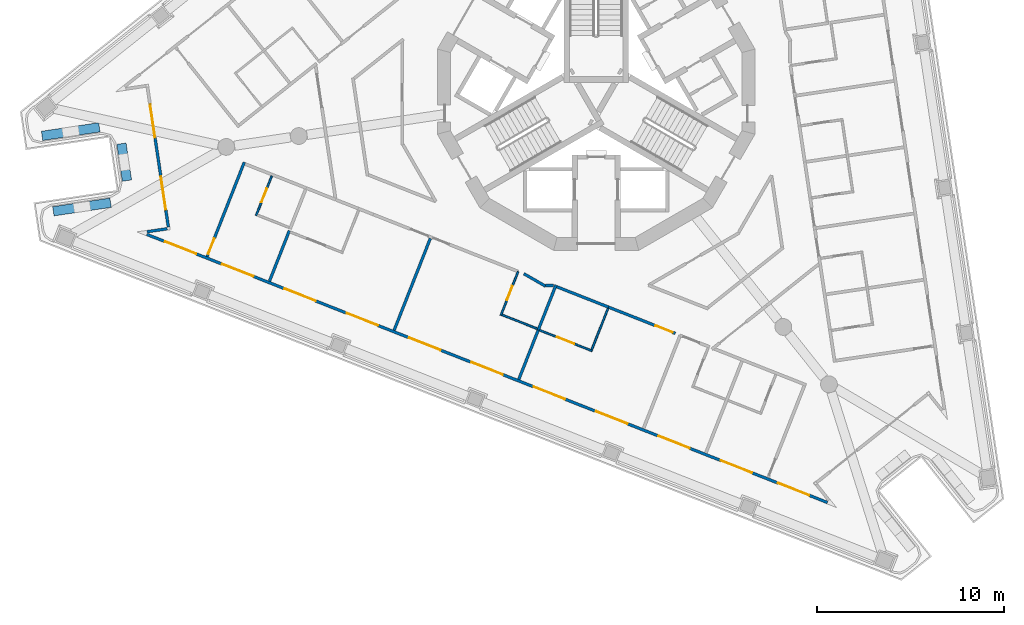
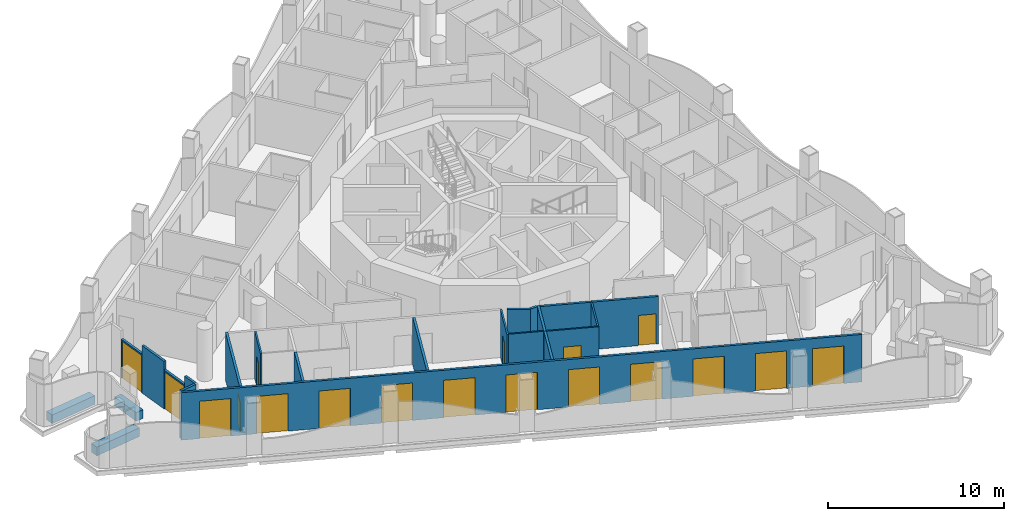
# One storey, part 2 of 16: 23 walls, 18 doors, 18 openings.
"""IFC4 building model written with IfcOpenShell, lengths in metres."""

from ifc_helpers import new_model, si_unit, direction, frame, frame_2d, origin, place, context, subcontext, project, spatial, polyline, rectangle, outline, extrude, material, layer, layer_set, type_object, element, fill, save


model = new_model("IFC4")

# Units and contexts
model_context = context("Model", 3, precision=1e-05, world=origin(), true_north=direction((0.0, 1.0)))
body_context = subcontext(model_context, "Body", "Model", "MODEL_VIEW")
ifc_project = project(units=[si_unit("LENGTHUNIT", "METRE"), si_unit("AREAUNIT", "SQUARE_METRE"), si_unit("VOLUMEUNIT", "CUBIC_METRE"), si_unit("PLANEANGLEUNIT", "RADIAN"), si_unit("MASSUNIT", "GRAM", prefix="KILO")], contexts=[model_context])

# Site, building, storey
site_placement = place(None, origin())
site = spatial("IfcSite", under=ifc_project, at=site_placement, CompositionType="ELEMENT")
building_placement = place(site_placement, origin())
building = spatial("IfcBuilding", under=site, at=building_placement, Name="Trine Commons Tower", CompositionType="ELEMENT")
storey_placement = place(building_placement, frame((0.0, 0.0, 219.60009765625)))
storey = spatial("IfcBuildingStorey", under=building, at=storey_placement, Name="L57", CompositionType="ELEMENT", Elevation=219.60009765625)

# Wall, openings, doors
ifc_material_1 = material(Name="Aluminium-framed insulated wall panel", Category="aluminium")
ifc_layer_1 = layer(ifc_material_1, 0.14990234375)
ifc_layer_set_1 = layer_set([ifc_layer_1], Name="Aluminium-framed insulated wall panel")
wall_type_1 = type_object("IfcWallType", Name="Glazed frame wall 150, EI 60", PredefinedType="SOLIDWALL", material=ifc_layer_set_1)
wall_1_placement = place(storey_placement, frame((92.513916015625, 40.4541015625, 0.0), z_axis=(0.0, 0.0, 1.0), x_axis=(-0.930417922313, 0.3665003272, 0.0)))
wall_1 = element("IfcWall", 1, at=wall_1_placement, inside=storey, type_object=wall_type_1, Name="Glazed frame wall F3", PredefinedType="SOLIDWALL", context=body_context, shape_type="SweptSolid", body=[
    extrude(outline(polyline([(0.1494140625, 0.074951171875), (0.1494140625, -0.074951171875), (39.296875, -0.074951171875), (39.296875, 0.074951171875), (0.1494140625, 0.074951171875)])), origin(), (0.0, 0.0, 1.0), 3.2998046875),
])
opening_1_placement = place(wall_1_placement, frame((1.193115234375, 0.0, 0.0)))
opening_1 = element("IfcOpeningElement", 2, at=opening_1_placement, cuts=wall_1, Name="Opening BD-6F3-01", PredefinedType="OPENING", context=body_context, shape_type="SweptSolid", body=[
    extrude(rectangle(XDim=1.800048828125, YDim=2.60009765625, at=frame_2d((0.89990234375, 1.300048828125))), frame((0.0, 0.0849609375, 0.0), z_axis=(0.0, -1.0, 0.0), x_axis=(1.0, 0.0, 0.0)), (0.0, 0.0, 1.0), 0.169921875),
])
opening_2_placement = place(wall_1_placement, frame((4.47900390625, 0.0, 0.0)))
opening_2 = element("IfcOpeningElement", 3, at=opening_2_placement, cuts=wall_1, Name="Opening BD-6F3-02", PredefinedType="OPENING", context=body_context, shape_type="SweptSolid", body=[
    extrude(rectangle(XDim=1.800048828125, YDim=2.60009765625, at=frame_2d((0.89990234375, 1.300048828125))), frame((0.0, 0.0849609375, 0.0), z_axis=(0.0, -1.0, 0.0), x_axis=(1.0, 0.0, 0.0)), (0.0, 0.0, 1.0), 0.169921875),
])
opening_3_placement = place(wall_1_placement, frame((8.06494140625, 0.0, 0.0)))
opening_3 = element("IfcOpeningElement", 4, at=opening_3_placement, cuts=wall_1, Name="Opening BD-6F3-03", PredefinedType="OPENING", context=body_context, shape_type="SweptSolid", body=[
    extrude(rectangle(XDim=1.800048828125, YDim=2.60009765625, at=frame_2d((0.89990234375, 1.300048828125))), frame((0.0, 0.0849609375, 0.0), z_axis=(0.0, -1.0, 0.0), x_axis=(1.0, 0.0, 0.0)), (0.0, 0.0, 1.0), 0.169921875),
])
opening_4_placement = place(wall_1_placement, frame((11.65087890625, 0.0, 0.0)))
opening_4 = element("IfcOpeningElement", 5, at=opening_4_placement, cuts=wall_1, Name="Opening BD-6F3-04", PredefinedType="OPENING", context=body_context, shape_type="SweptSolid", body=[
    extrude(rectangle(XDim=1.800048828125, YDim=2.60009765625, at=frame_2d((0.89990234375, 1.300048828125))), frame((0.0, 0.0849609375, 0.0), z_axis=(0.0, -1.0, 0.0), x_axis=(1.0, 0.0, 0.0)), (0.0, 0.0, 1.0), 0.169921875),
])
opening_5_placement = place(wall_1_placement, frame((15.237060546875, 0.0, 0.0)))
opening_5 = element("IfcOpeningElement", 6, at=opening_5_placement, cuts=wall_1, Name="Opening BD-6F3-05", PredefinedType="OPENING", context=body_context, shape_type="SweptSolid", body=[
    extrude(rectangle(XDim=1.800048828125, YDim=2.60009765625, at=frame_2d((0.89990234375, 1.300048828125))), frame((0.0, 0.0849609375, 0.0), z_axis=(0.0, -1.0, 0.0), x_axis=(1.0, 0.0, 0.0)), (0.0, 0.0, 1.0), 0.169921875),
])
opening_6_placement = place(wall_1_placement, frame((18.822998046875, 0.0, 0.0)))
opening_6 = element("IfcOpeningElement", 7, at=opening_6_placement, cuts=wall_1, Name="Opening BD-6F3-06", PredefinedType="OPENING", context=body_context, shape_type="SweptSolid", body=[
    extrude(rectangle(XDim=1.800048828125, YDim=2.60009765625, at=frame_2d((0.89990234375, 1.300048828125))), frame((0.0, 0.0849609375, 0.0), z_axis=(0.0, -1.0, 0.0), x_axis=(1.0, 0.0, 0.0)), (0.0, 0.0, 1.0), 0.169921875),
])
opening_7_placement = place(wall_1_placement, frame((22.408935546875, 0.0, 0.0)))
opening_7 = element("IfcOpeningElement", 8, at=opening_7_placement, cuts=wall_1, Name="Opening BD-6F3-07", PredefinedType="OPENING", context=body_context, shape_type="SweptSolid", body=[
    extrude(rectangle(XDim=1.800048828125, YDim=2.60009765625, at=frame_2d((0.89990234375, 1.300048828125))), frame((0.0, 0.0849609375, 0.0), z_axis=(0.0, -1.0, 0.0), x_axis=(1.0, 0.0, 0.0)), (0.0, 0.0, 1.0), 0.169921875),
])
opening_8_placement = place(wall_1_placement, frame((25.9951171875, 0.0, 0.0)))
opening_8 = element("IfcOpeningElement", 9, at=opening_8_placement, cuts=wall_1, Name="Opening BD-6F3-08", PredefinedType="OPENING", context=body_context, shape_type="SweptSolid", body=[
    extrude(rectangle(XDim=1.800048828125, YDim=2.60009765625, at=frame_2d((0.89990234375, 1.300048828125))), frame((0.0, 0.0849609375, 0.0), z_axis=(0.0, -1.0, 0.0), x_axis=(1.0, 0.0, 0.0)), (0.0, 0.0, 1.0), 0.169921875),
])
opening_9_placement = place(wall_1_placement, frame((29.5810546875, 0.0, 0.0)))
opening_9 = element("IfcOpeningElement", 10, at=opening_9_placement, cuts=wall_1, Name="Opening BD-6F3-09", PredefinedType="OPENING", context=body_context, shape_type="SweptSolid", body=[
    extrude(rectangle(XDim=1.800048828125, YDim=2.60009765625, at=frame_2d((0.89990234375, 1.300048828125))), frame((0.0, 0.0849609375, 0.0), z_axis=(0.0, -1.0, 0.0), x_axis=(1.0, 0.0, 0.0)), (0.0, 0.0, 1.0), 0.169921875),
])
opening_10_placement = place(wall_1_placement, frame((33.1669921875, 0.0, 0.0)))
opening_10 = element("IfcOpeningElement", 11, at=opening_10_placement, cuts=wall_1, Name="Opening BD-6F3-10", PredefinedType="OPENING", context=body_context, shape_type="SweptSolid", body=[
    extrude(rectangle(XDim=1.800048828125, YDim=2.60009765625, at=frame_2d((0.89990234375, 1.300048828125))), frame((0.0, 0.0849609375, 0.0), z_axis=(0.0, -1.0, 0.0), x_axis=(1.0, 0.0, 0.0)), (0.0, 0.0, 1.0), 0.169921875),
])
opening_11_placement = place(wall_1_placement, frame((36.452880859375, 0.0, 0.0)))
opening_11 = element("IfcOpeningElement", 12, at=opening_11_placement, cuts=wall_1, Name="Opening BD-6F3-11", PredefinedType="OPENING", context=body_context, shape_type="SweptSolid", body=[
    extrude(rectangle(XDim=1.800048828125, YDim=2.60009765625, at=frame_2d((0.89990234375, 1.300048828125))), frame((0.0, 0.0849609375, 0.0), z_axis=(0.0, -1.0, 0.0), x_axis=(1.0, 0.0, 0.0)), (0.0, 0.0, 1.0), 0.169921875),
])
ifc_material_2 = material(Name="Anodised aluminium frame with double glazing", Category="aluminium")
door_type_1 = type_object("IfcDoorType", Name="Sliding loggia door 1800x2600", OperationType="SLIDING_TO_LEFT", PredefinedType="DOOR", material=ifc_material_2)
door_1_placement = place(opening_1_placement, origin())
door_1 = element("IfcDoor", 13, at=door_1_placement, inside=storey, type_object=door_type_1, Name="Loggia door F3 1", OperationType="SLIDING_TO_LEFT", OverallHeight=2.60009765625, OverallWidth=1.800048828125, PredefinedType="DOOR", context=body_context, shape_type="SweptSolid", body=[
    extrude(rectangle(XDim=1.800048828125, YDim=2.60009765625, at=frame_2d((0.89990234375, 1.300048828125))), frame((0.0, 0.02490234375, 0.0), z_axis=(0.0, -1.0, 0.0), x_axis=(1.0, 0.0, 0.0)), (0.0, 0.0, 1.0), 0.050048828125),
])
fill(opening_1, door_1)
door_2_placement = place(opening_2_placement, origin())
door_2 = element("IfcDoor", 14, at=door_2_placement, inside=storey, type_object=door_type_1, Name="Loggia door F3 2", OperationType="SLIDING_TO_LEFT", OverallHeight=2.60009765625, OverallWidth=1.800048828125, PredefinedType="DOOR", context=body_context, shape_type="SweptSolid", body=[
    extrude(rectangle(XDim=1.800048828125, YDim=2.60009765625, at=frame_2d((0.89990234375, 1.300048828125))), frame((0.0, 0.02490234375, 0.0), z_axis=(0.0, -1.0, 0.0), x_axis=(1.0, 0.0, 0.0)), (0.0, 0.0, 1.0), 0.050048828125),
])
fill(opening_2, door_2)
door_3_placement = place(opening_3_placement, origin())
door_3 = element("IfcDoor", 15, at=door_3_placement, inside=storey, type_object=door_type_1, Name="Loggia door F3 3", OperationType="SLIDING_TO_LEFT", OverallHeight=2.60009765625, OverallWidth=1.800048828125, PredefinedType="DOOR", context=body_context, shape_type="SweptSolid", body=[
    extrude(rectangle(XDim=1.800048828125, YDim=2.60009765625, at=frame_2d((0.89990234375, 1.300048828125))), frame((0.0, 0.02490234375, 0.0), z_axis=(0.0, -1.0, 0.0), x_axis=(1.0, 0.0, 0.0)), (0.0, 0.0, 1.0), 0.050048828125),
])
fill(opening_3, door_3)
door_4_placement = place(opening_4_placement, origin())
door_4 = element("IfcDoor", 16, at=door_4_placement, inside=storey, type_object=door_type_1, Name="Loggia door F3 4", OperationType="SLIDING_TO_LEFT", OverallHeight=2.60009765625, OverallWidth=1.800048828125, PredefinedType="DOOR", context=body_context, shape_type="SweptSolid", body=[
    extrude(rectangle(XDim=1.800048828125, YDim=2.60009765625, at=frame_2d((0.89990234375, 1.300048828125))), frame((0.0, 0.02490234375, 0.0), z_axis=(0.0, -1.0, 0.0), x_axis=(1.0, 0.0, 0.0)), (0.0, 0.0, 1.0), 0.050048828125),
])
fill(opening_4, door_4)
door_5_placement = place(opening_5_placement, origin())
door_5 = element("IfcDoor", 17, at=door_5_placement, inside=storey, type_object=door_type_1, Name="Loggia door F3 5", OperationType="SLIDING_TO_LEFT", OverallHeight=2.60009765625, OverallWidth=1.800048828125, PredefinedType="DOOR", context=body_context, shape_type="SweptSolid", body=[
    extrude(rectangle(XDim=1.800048828125, YDim=2.60009765625, at=frame_2d((0.89990234375, 1.300048828125))), frame((0.0, 0.02490234375, 0.0), z_axis=(0.0, -1.0, 0.0), x_axis=(1.0, 0.0, 0.0)), (0.0, 0.0, 1.0), 0.050048828125),
])
fill(opening_5, door_5)
door_6_placement = place(opening_6_placement, origin())
door_6 = element("IfcDoor", 18, at=door_6_placement, inside=storey, type_object=door_type_1, Name="Loggia door F3 6", OperationType="SLIDING_TO_LEFT", OverallHeight=2.60009765625, OverallWidth=1.800048828125, PredefinedType="DOOR", context=body_context, shape_type="SweptSolid", body=[
    extrude(rectangle(XDim=1.800048828125, YDim=2.60009765625, at=frame_2d((0.89990234375, 1.300048828125))), frame((0.0, 0.02490234375, 0.0), z_axis=(0.0, -1.0, 0.0), x_axis=(1.0, 0.0, 0.0)), (0.0, 0.0, 1.0), 0.050048828125),
])
fill(opening_6, door_6)
door_7_placement = place(opening_7_placement, origin())
door_7 = element("IfcDoor", 19, at=door_7_placement, inside=storey, type_object=door_type_1, Name="Loggia door F3 7", OperationType="SLIDING_TO_LEFT", OverallHeight=2.60009765625, OverallWidth=1.800048828125, PredefinedType="DOOR", context=body_context, shape_type="SweptSolid", body=[
    extrude(rectangle(XDim=1.800048828125, YDim=2.60009765625, at=frame_2d((0.89990234375, 1.300048828125))), frame((0.0, 0.02490234375, 0.0), z_axis=(0.0, -1.0, 0.0), x_axis=(1.0, 0.0, 0.0)), (0.0, 0.0, 1.0), 0.050048828125),
])
fill(opening_7, door_7)
door_8_placement = place(opening_8_placement, origin())
door_8 = element("IfcDoor", 20, at=door_8_placement, inside=storey, type_object=door_type_1, Name="Loggia door F3 8", OperationType="SLIDING_TO_LEFT", OverallHeight=2.60009765625, OverallWidth=1.800048828125, PredefinedType="DOOR", context=body_context, shape_type="SweptSolid", body=[
    extrude(rectangle(XDim=1.800048828125, YDim=2.60009765625, at=frame_2d((0.89990234375, 1.300048828125))), frame((0.0, 0.02490234375, 0.0), z_axis=(0.0, -1.0, 0.0), x_axis=(1.0, 0.0, 0.0)), (0.0, 0.0, 1.0), 0.050048828125),
])
fill(opening_8, door_8)
door_9_placement = place(opening_9_placement, origin())
door_9 = element("IfcDoor", 21, at=door_9_placement, inside=storey, type_object=door_type_1, Name="Loggia door F3 9", OperationType="SLIDING_TO_LEFT", OverallHeight=2.60009765625, OverallWidth=1.800048828125, PredefinedType="DOOR", context=body_context, shape_type="SweptSolid", body=[
    extrude(rectangle(XDim=1.800048828125, YDim=2.60009765625, at=frame_2d((0.89990234375, 1.300048828125))), frame((0.0, 0.02490234375, 0.0), z_axis=(0.0, -1.0, 0.0), x_axis=(1.0, 0.0, 0.0)), (0.0, 0.0, 1.0), 0.050048828125),
])
fill(opening_9, door_9)
door_10_placement = place(opening_10_placement, origin())
door_10 = element("IfcDoor", 22, at=door_10_placement, inside=storey, type_object=door_type_1, Name="Loggia door F3 10", OperationType="SLIDING_TO_LEFT", OverallHeight=2.60009765625, OverallWidth=1.800048828125, PredefinedType="DOOR", context=body_context, shape_type="SweptSolid", body=[
    extrude(rectangle(XDim=1.800048828125, YDim=2.60009765625, at=frame_2d((0.89990234375, 1.300048828125))), frame((0.0, 0.02490234375, 0.0), z_axis=(0.0, -1.0, 0.0), x_axis=(1.0, 0.0, 0.0)), (0.0, 0.0, 1.0), 0.050048828125),
])
fill(opening_10, door_10)
door_11_placement = place(opening_11_placement, origin())
door_11 = element("IfcDoor", 23, at=door_11_placement, inside=storey, type_object=door_type_1, Name="Loggia door F3 11", OperationType="SLIDING_TO_LEFT", OverallHeight=2.60009765625, OverallWidth=1.800048828125, PredefinedType="DOOR", context=body_context, shape_type="SweptSolid", body=[
    extrude(rectangle(XDim=1.800048828125, YDim=2.60009765625, at=frame_2d((0.89990234375, 1.300048828125))), frame((0.0, 0.02490234375, 0.0), z_axis=(0.0, -1.0, 0.0), x_axis=(1.0, 0.0, 0.0)), (0.0, 0.0, 1.0), 0.050048828125),
])
fill(opening_11, door_11)

# Walls
wall_2_placement = place(storey_placement, frame((55.8203125, 54.978515625, 0.0), z_axis=(0.0, 0.0, 1.0), x_axis=(0.98902141065, 0.147772288596, 0.0)))
element("IfcWall", 24, at=wall_2_placement, inside=storey, type_object=wall_type_1, Name="Glazed frame wall R10", PredefinedType="SOLIDWALL", context=body_context, shape_type="SweptSolid", body=[
    extrude(outline(polyline([(0.1494140625, 0.074951171875), (0.1494140625, -0.074951171875), (1.235107421875, -0.074951171875), (1.235107421875, 0.074951171875), (0.1494140625, 0.074951171875)])), origin(), (0.0, 0.0, 1.0), 3.2998046875),
])
wall_3_placement = place(storey_placement, frame((57.12109375, 55.137451171875, 0.0), z_axis=(0.0, 0.0, 1.0), x_axis=(-0.147946480694, 0.988995368468, 0.0)))
element("IfcWall", 25, at=wall_3_placement, inside=storey, type_object=wall_type_1, Name="Glazed frame wall P3.1", PredefinedType="SOLIDWALL", context=body_context, shape_type="SweptSolid", body=[
    extrude(outline(polyline([(0.110107421875, -0.074951171875), (1.0, -0.074951171875), (1.0, 0.074951171875), (0.110107421875, 0.074951171875), (0.110107421875, -0.074951171875)])), origin(), (0.0, 0.0, 1.0), 3.2998046875),
])

# Wall, opening, door
wall_4_placement = place(storey_placement, frame((56.97314453125, 56.12646484375, 0.0), z_axis=(0.0, 0.0, 1.0), x_axis=(-0.147768643441, 0.989021955275, 0.0)))
wall_4 = element("IfcWall", 26, at=wall_4_placement, inside=storey, type_object=wall_type_1, Name="Glazed frame wall P3.2", PredefinedType="SOLIDWALL", context=body_context, shape_type="SweptSolid", body=[
    extrude(outline(polyline([(0.0, -0.074951171875), (1.89990234375, -0.074951171875), (1.89990234375, 0.074951171875), (0.0, 0.074951171875), (0.0, -0.074951171875)])), origin(), (0.0, 0.0, 1.0), 2.699951171875),
])
opening_12_placement = place(wall_4_placement, frame((0.050048828125, 0.0, 0.0)))
opening_12 = element("IfcOpeningElement", 27, at=opening_12_placement, cuts=wall_4, Name="Opening BD-6P3-01", PredefinedType="OPENING", context=body_context, shape_type="SweptSolid", body=[
    extrude(rectangle(XDim=1.800048828125, YDim=2.60009765625, at=frame_2d((0.89990234375, 1.300048828125))), frame((0.0, 0.0849609375, 0.0), z_axis=(0.0, -1.0, 0.0), x_axis=(1.0, 0.0, 0.0)), (0.0, 0.0, 1.0), 0.169921875),
])
door_12_placement = place(opening_12_placement, origin())
door_12 = element("IfcDoor", 28, at=door_12_placement, inside=storey, type_object=door_type_1, Name="Loggia door P3 1", OperationType="SLIDING_TO_LEFT", OverallHeight=2.60009765625, OverallWidth=1.800048828125, PredefinedType="DOOR", context=body_context, shape_type="SweptSolid", body=[
    extrude(rectangle(XDim=1.800048828125, YDim=2.60009765625, at=frame_2d((0.89990234375, 1.300048828125))), frame((0.0, 0.02490234375, 0.0), z_axis=(0.0, -1.0, 0.0), x_axis=(1.0, 0.0, 0.0)), (0.0, 0.0, 1.0), 0.050048828125),
])
fill(opening_12, door_12)

# Wall
wall_5_placement = place(storey_placement, frame((56.6923828125, 58.005615234375, 0.0), z_axis=(0.0, 0.0, 1.0), x_axis=(-0.147827081252, 0.989013222383, 0.0)))
element("IfcWall", 29, at=wall_5_placement, inside=storey, type_object=wall_type_1, Name="Glazed frame wall P3.3", PredefinedType="SOLIDWALL", context=body_context, shape_type="SweptSolid", body=[
    extrude(outline(polyline([(0.0, -0.074951171875), (2.0, -0.074951171875), (2.0, 0.074951171875), (0.0, 0.074951171875), (0.0, -0.074951171875)])), origin(), (0.0, 0.0, 1.0), 3.2998046875),
])

# Wall, opening, door
wall_6_placement = place(storey_placement, frame((56.396728515625, 59.983642578125, 0.0), z_axis=(0.0, 0.0, 1.0), x_axis=(-0.147768643441, 0.989021955275, 0.0)))
wall_6 = element("IfcWall", 30, at=wall_6_placement, inside=storey, type_object=wall_type_1, Name="Glazed frame wall P3.4", PredefinedType="SOLIDWALL", context=body_context, shape_type="SweptSolid", body=[
    extrude(outline(polyline([(0.0, -0.074951171875), (1.89990234375, -0.074951171875), (1.89990234375, 0.074951171875), (0.0, 0.074951171875), (0.0, -0.074951171875)])), origin(), (0.0, 0.0, 1.0), 2.699951171875),
])
opening_13_placement = place(wall_6_placement, frame((0.050048828125, 0.0, 0.0)))
opening_13 = element("IfcOpeningElement", 31, at=opening_13_placement, cuts=wall_6, Name="Opening BD-6P3-02", PredefinedType="OPENING", context=body_context, shape_type="SweptSolid", body=[
    extrude(rectangle(XDim=1.800048828125, YDim=2.60009765625, at=frame_2d((0.89990234375, 1.300048828125))), frame((0.0, 0.0849609375, 0.0), z_axis=(0.0, -1.0, 0.0), x_axis=(1.0, 0.0, 0.0)), (0.0, 0.0, 1.0), 0.169921875),
])
door_13_placement = place(opening_13_placement, origin())
door_13 = element("IfcDoor", 32, at=door_13_placement, inside=storey, type_object=door_type_1, Name="Loggia door P3 2", OperationType="SLIDING_TO_LEFT", OverallHeight=2.60009765625, OverallWidth=1.800048828125, PredefinedType="DOOR", context=body_context, shape_type="SweptSolid", body=[
    extrude(rectangle(XDim=1.800048828125, YDim=2.60009765625, at=frame_2d((0.89990234375, 1.300048828125))), frame((0.0, 0.02490234375, 0.0), z_axis=(0.0, -1.0, 0.0), x_axis=(1.0, 0.0, 0.0)), (0.0, 0.0, 1.0), 0.050048828125),
])
fill(opening_13, door_13)

# Walls
ifc_material_3 = material(Name="Planter trough, precast concrete C40/50", Category="concrete")
ifc_layer_2 = layer(ifc_material_3, 0.5)
ifc_layer_set_2 = layer_set([ifc_layer_2], Name="Planter trough, precast concrete C40/50")
wall_type_2 = type_object("IfcWallType", Name="Planter trough 500x600", PredefinedType="PARAPET", material=ifc_layer_set_2)
wall_7_placement = place(storey_placement, frame((50.94677734375, 56.09521484375, 0.0), z_axis=(0.0, 0.0, 1.0), x_axis=(0.989011904818, 0.147835895942, 0.0)))
element("IfcWall", 33, at=wall_7_placement, inside=storey, type_object=wall_type_2, Name="Planter 1", PredefinedType="PARAPET", context=body_context, shape_type="SweptSolid", body=[
    extrude(rectangle(XDim=3.099853515625, YDim=0.5, at=frame_2d((1.5498046875, 0.0))), origin(), (0.0, 0.0, 1.0), 0.599853515625),
])
wall_8_placement = place(storey_placement, frame((54.887451171875, 57.73583984375, 0.0), z_axis=(0.0, 0.0, 1.0), x_axis=(-0.147827081252, 0.989013222383, 0.0)))
element("IfcWall", 34, at=wall_8_placement, inside=storey, type_object=wall_type_2, Name="Planter 2", PredefinedType="PARAPET", context=body_context, shape_type="SweptSolid", body=[
    extrude(rectangle(XDim=2.0, YDim=0.5, at=frame_2d((1.0, 0.0))), origin(), (0.0, 0.0, 1.0), 0.599853515625),
])
wall_9_placement = place(storey_placement, frame((53.409423828125, 60.588623046875, 0.0), z_axis=(0.0, 0.0, 1.0), x_axis=(-0.989013625991, -0.147824380951, 0.0)))
element("IfcWall", 35, at=wall_9_placement, inside=storey, type_object=wall_type_2, Name="Planter 3", PredefinedType="PARAPET", context=body_context, shape_type="SweptSolid", body=[
    extrude(rectangle(XDim=3.099853515625, YDim=0.5, at=frame_2d((1.5498046875, 0.0))), origin(), (0.0, 0.0, 1.0), 0.599853515625),
])

# Wall, opening, door
ifc_material_4 = material(Name="Gypsum plasterboard on steel stud", Category="steel")
ifc_layer_3 = layer(ifc_material_4, 0.14990234375)
ifc_layer_set_3 = layer_set([ifc_layer_3], Name="Gypsum plasterboard on steel stud")
wall_type_3 = type_object("IfcWallType", Name="Unit and corridor wall 150 mm, EI 60", PredefinedType="PARTITIONING", material=ifc_layer_set_3)
wall_10_placement = place(storey_placement, frame((59.1767578125, 53.666259765625, 0.0), z_axis=(0.0, 0.0, 1.0), x_axis=(0.366413764384, 0.930452015565, 0.0)))
wall_10 = element("IfcWall", 36, at=wall_10_placement, inside=storey, type_object=wall_type_3, Name="Partition 002", PredefinedType="PARTITIONING", context=body_context, shape_type="SweptSolid", body=[
    extrude(rectangle(XDim=5.435546875, YDim=0.14990234375, at=frame_2d((2.7177734375, 0.0))), origin(), (0.0, 0.0, 1.0), 3.2998046875),
])
opening_14_placement = place(wall_10_placement, frame((0.14990234375, 0.0, 0.0)))
opening_14 = element("IfcOpeningElement", 37, at=opening_14_placement, cuts=wall_10, Name="Opening D-6C25", PredefinedType="OPENING", context=body_context, shape_type="SweptSolid", body=[
    extrude(rectangle(XDim=0.89990234375, YDim=2.10009765625, at=frame_2d((0.449951171875, 1.050048828125))), frame((0.0, 0.0849609375, 0.0), z_axis=(0.0, -1.0, 0.0), x_axis=(1.0, 0.0, 0.0)), (0.0, 0.0, 1.0), 0.169921875),
])
ifc_material_5 = material(Name="Timber fire door set", Category="wood")
door_type_2 = type_object("IfcDoorType", Name="Bedroom door 900 x 2100, FD30S", OperationType="NOTDEFINED", PredefinedType="DOOR", material=ifc_material_5)
door_14_placement = place(opening_14_placement, frame((0.89990234375, 0.0, 0.0), z_axis=(0.0, 0.0, 1.0), x_axis=(-1.0, 0.0, 0.0)))
door_14 = element("IfcDoor", 38, at=door_14_placement, inside=storey, type_object=door_type_2, Name="Door D-6C25", OperationType="SINGLE_SWING_RIGHT", OverallHeight=2.10009765625, OverallWidth=0.89990234375, PredefinedType="DOOR", context=body_context, shape_type="SweptSolid", body=[
    extrude(rectangle(XDim=0.89990234375, YDim=2.10009765625, at=frame_2d((0.449951171875, 1.050048828125))), frame((0.0, 0.02490234375, 0.0), z_axis=(0.0, -1.0, 0.0), x_axis=(1.0, 0.0, 0.0)), (0.0, 0.0, 1.0), 0.050048828125),
])
fill(opening_14, door_14)

# Walls
wall_11_placement = place(storey_placement, frame((62.513671875, 52.352294921875, 0.0), z_axis=(0.0, 0.0, 1.0), x_axis=(0.366277970919, 0.930505479844, 0.0)))
element("IfcWall", 39, at=wall_11_placement, inside=storey, type_object=wall_type_3, Name="Partition 011", PredefinedType="PARTITIONING", context=body_context, shape_type="SweptSolid", body=[
    extrude(rectangle(XDim=2.909423828125, YDim=0.14990234375, at=frame_2d((1.45458984375, 0.0))), origin(), (0.0, 0.0, 1.0), 3.2998046875),
])
wall_12_placement = place(storey_placement, frame((69.185791015625, 49.72412109375, 0.0), z_axis=(0.0, 0.0, 1.0), x_axis=(0.366646905319, 0.930360170482, 0.0)))
element("IfcWall", 40, at=wall_12_placement, inside=storey, type_object=wall_type_3, Name="Partition 030", PredefinedType="PARTITIONING", context=body_context, shape_type="SweptSolid", body=[
    extrude(rectangle(XDim=5.28515625, YDim=0.14990234375, at=frame_2d((2.642578125, 0.0))), origin(), (0.0, 0.0, 1.0), 3.2998046875),
])
wall_13_placement = place(storey_placement, frame((75.858642578125, 47.09521484375, 0.0), z_axis=(0.0, 0.0, 1.0), x_axis=(0.366568536594, 0.930391051107, 0.0)))
element("IfcWall", 41, at=wall_13_placement, inside=storey, type_object=wall_type_3, Name="Partition 040", PredefinedType="PARTITIONING", context=body_context, shape_type="SweptSolid", body=[
    extrude(rectangle(XDim=2.909912109375, YDim=0.14990234375, at=frame_2d((1.455078125, 0.0))), origin(), (0.0, 0.0, 1.0), 3.2998046875),
])
wall_14_placement = place(storey_placement, frame((76.131103515625, 52.75390625, 0.0), z_axis=(0.0, 0.0, 1.0), x_axis=(0.865910926182, -0.500198228624, 0.0)))
element("IfcWall", 42, at=wall_14_placement, inside=storey, type_object=wall_type_3, Name="Partition 041", PredefinedType="PARTITIONING", context=body_context, shape_type="SweptSolid", body=[
    extrude(rectangle(XDim=1.33251953125, YDim=0.14990234375, at=frame_2d((0.666259765625, 0.0))), origin(), (0.0, 0.0, 1.0), 3.2998046875),
])
wall_15_placement = place(storey_placement, frame((76.896728515625, 49.73046875, 0.0), z_axis=(0.0, 0.0, 1.0), x_axis=(0.366841902322, 0.930283300238, 0.0)))
element("IfcWall", 43, at=wall_15_placement, inside=storey, type_object=wall_type_3, Name="Partition 043", PredefinedType="PARTITIONING", context=body_context, shape_type="SweptSolid", body=[
    extrude(rectangle(XDim=2.602783203125, YDim=0.14990234375, at=frame_2d((1.30126953125, 0.0))), origin(), (0.0, 0.0, 1.0), 3.2998046875),
])
wall_16_placement = place(storey_placement, frame((77.294921875, 52.125, 0.0), z_axis=(0.0, 0.0, 1.0), x_axis=(1.0, 0.0, 0.0)))
element("IfcWall", 44, at=wall_16_placement, inside=storey, type_object=wall_type_3, Name="Partition 045", PredefinedType="PARTITIONING", context=body_context, shape_type="SweptSolid", body=[
    extrude(rectangle(XDim=0.43212890625, YDim=0.14990234375, at=frame_2d((0.216064453125, 0.0))), origin(), (0.0, 0.0, 1.0), 3.2998046875),
])
wall_17_placement = place(storey_placement, frame((77.890869140625, 52.056396484375, 0.0), z_axis=(0.0, 0.0, 1.0), x_axis=(0.930473535622, -0.366359112767, 0.0)))
element("IfcWall", 45, at=wall_17_placement, inside=storey, type_object=wall_type_3, Name="Partition 049", PredefinedType="PARTITIONING", context=body_context, shape_type="SweptSolid", body=[
    extrude(rectangle(XDim=2.9814453125, YDim=0.14990234375, at=frame_2d((1.49072265625, 0.0))), origin(), (0.0, 0.0, 1.0), 3.2998046875),
])

# Wall, opening, door
wall_18_placement = place(storey_placement, frame((80.611572265625, 50.9853515625, 0.0), z_axis=(0.0, 0.0, 1.0), x_axis=(0.930335237283, -0.366710166574, 0.0)))
wall_18 = element("IfcWall", 46, at=wall_18_placement, inside=storey, type_object=wall_type_3, Name="Partition 055", PredefinedType="PARTITIONING", context=body_context, shape_type="SweptSolid", body=[
    extrude(rectangle(XDim=3.89794921875, YDim=0.14990234375, at=frame_2d((1.948974609375, 0.0))), origin(), (0.0, 0.0, 1.0), 3.2998046875),
])
opening_15_placement = place(wall_18_placement, frame((2.748046875, 0.0, 0.0)))
opening_15 = element("IfcOpeningElement", 47, at=opening_15_placement, cuts=wall_18, Name="Opening D-6C22", PredefinedType="OPENING", context=body_context, shape_type="SweptSolid", body=[
    extrude(rectangle(XDim=1.0, YDim=2.10009765625, at=frame_2d((0.5, 1.050048828125))), frame((0.0, 0.0849609375, 0.0), z_axis=(0.0, -1.0, 0.0), x_axis=(1.0, 0.0, 0.0)), (0.0, 0.0, 1.0), 0.169921875),
])
door_type_3 = type_object("IfcDoorType", Name="Bedroom door 1000 x 2100, FD30S", OperationType="NOTDEFINED", PredefinedType="DOOR", material=ifc_material_5)
door_15_placement = place(opening_15_placement, frame((1.0, 0.0, 0.0), z_axis=(0.0, 0.0, 1.0), x_axis=(-1.0, 0.0, 0.0)))
door_15 = element("IfcDoor", 48, at=door_15_placement, inside=storey, type_object=door_type_3, Name="Door D-6C22", OperationType="SINGLE_SWING_LEFT", OverallHeight=2.10009765625, OverallWidth=1.0, PredefinedType="DOOR", context=body_context, shape_type="SweptSolid", body=[
    extrude(rectangle(XDim=1.0, YDim=2.10009765625, at=frame_2d((0.5, 1.050048828125))), frame((0.0, 0.02490234375, 0.0), z_axis=(0.0, -1.0, 0.0), x_axis=(1.0, 0.0, 0.0)), (0.0, 0.0, 1.0), 0.050048828125),
])
fill(opening_15, door_15)

ifc_layer_4 = layer(ifc_material_4, 0.10009765625)
ifc_layer_set_4 = layer_set([ifc_layer_4], Name="Gypsum plasterboard on steel stud")
wall_type_4 = type_object("IfcWallType", Name="Unit partition 100 mm, no rating", PredefinedType="PARTITIONING", material=ifc_layer_set_4)
wall_19_placement = place(storey_placement, frame((61.8017578125, 55.867431640625, 0.0), z_axis=(0.0, 0.0, 1.0), x_axis=(0.366482291334, 0.930425026608, 0.0)))
wall_19 = element("IfcWall", 49, at=wall_19_placement, inside=storey, type_object=wall_type_4, Name="Partition 008", PredefinedType="PARTITIONING", context=body_context, shape_type="SweptSolid", body=[
    extrude(rectangle(XDim=2.27490234375, YDim=0.10009765625, at=frame_2d((1.137451171875, 0.0))), origin(), (0.0, 0.0, 1.0), 3.2998046875),
])
opening_16_placement = place(wall_19_placement, frame((0.762451171875, 0.0, 0.0)))
opening_16 = element("IfcOpeningElement", 50, at=opening_16_placement, cuts=wall_19, Name="Opening D-6C48", PredefinedType="OPENING", context=body_context, shape_type="SweptSolid", body=[
    extrude(rectangle(XDim=0.800048828125, YDim=2.10009765625, at=frame_2d((0.39990234375, 1.050048828125))), frame((0.0, 0.06005859375, 0.0), z_axis=(0.0, -1.0, 0.0), x_axis=(1.0, 0.0, 0.0)), (0.0, 0.0, 1.0), 0.1201171875),
])
ifc_material_6 = material(Name="Painted timber", Category="wood")
door_type_4 = type_object("IfcDoorType", Name="Internal door 800 x 2100, NOT RATED", OperationType="NOTDEFINED", PredefinedType="DOOR", material=ifc_material_6)
door_16_placement = place(opening_16_placement, origin())
door_16 = element("IfcDoor", 51, at=door_16_placement, inside=storey, type_object=door_type_4, Name="Door D-6C48", OperationType="SINGLE_SWING_RIGHT", OverallHeight=2.10009765625, OverallWidth=0.800048828125, PredefinedType="DOOR", context=body_context, shape_type="SweptSolid", body=[
    extrude(rectangle(XDim=0.800048828125, YDim=2.10009765625, at=frame_2d((0.39990234375, 1.050048828125))), frame((0.0, 0.02490234375, 0.0), z_axis=(0.0, -1.0, 0.0), x_axis=(1.0, 0.0, 0.0)), (0.0, 0.0, 1.0), 0.050048828125),
])
fill(opening_16, door_16)

wall_20_placement = place(storey_placement, frame((74.898681640625, 50.5224609375, 0.0), z_axis=(0.0, 0.0, 1.0), x_axis=(0.366346829808, 0.930478371747, 0.0)))
wall_20 = element("IfcWall", 52, at=wall_20_placement, inside=storey, type_object=wall_type_4, Name="Partition 038", PredefinedType="PARTITIONING", context=body_context, shape_type="SweptSolid", body=[
    extrude(rectangle(XDim=2.52294921875, YDim=0.10009765625, at=frame_2d((1.261474609375, 0.0))), origin(), (0.0, 0.0, 1.0), 3.2998046875),
])
opening_17_placement = place(wall_20_placement, frame((0.886474609375, 0.0, 0.0)))
opening_17 = element("IfcOpeningElement", 53, at=opening_17_placement, cuts=wall_20, Name="Opening D-6C46", PredefinedType="OPENING", context=body_context, shape_type="SweptSolid", body=[
    extrude(rectangle(XDim=0.800048828125, YDim=2.10009765625, at=frame_2d((0.39990234375, 1.050048828125))), frame((0.0, 0.06005859375, 0.0), z_axis=(0.0, -1.0, 0.0), x_axis=(1.0, 0.0, 0.0)), (0.0, 0.0, 1.0), 0.1201171875),
])
door_17_placement = place(opening_17_placement, origin())
door_17 = element("IfcDoor", 54, at=door_17_placement, inside=storey, type_object=door_type_4, Name="Door D-6C46", OperationType="SINGLE_SWING_RIGHT", OverallHeight=2.10009765625, OverallWidth=0.800048828125, PredefinedType="DOOR", context=body_context, shape_type="SweptSolid", body=[
    extrude(rectangle(XDim=0.800048828125, YDim=2.10009765625, at=frame_2d((0.39990234375, 1.050048828125))), frame((0.0, 0.02490234375, 0.0), z_axis=(0.0, -1.0, 0.0), x_axis=(1.0, 0.0, 0.0)), (0.0, 0.0, 1.0), 0.050048828125),
])
fill(opening_17, door_17)

# Wall
wall_21_placement = place(storey_placement, frame((74.96337890625, 50.55078125, 0.0), z_axis=(0.0, 0.0, 1.0), x_axis=(0.930393439386, -0.366562474823, 0.0)))
element("IfcWall", 55, at=wall_21_placement, inside=storey, type_object=wall_type_4, Name="Partition 039", PredefinedType="PARTITIONING", context=body_context, shape_type="SweptSolid", body=[
    extrude(rectangle(XDim=2.024658203125, YDim=0.10009765625, at=frame_2d((1.01220703125, 0.0))), origin(), (0.0, 0.0, 1.0), 3.2998046875),
])

# Wall, opening, door
wall_22_placement = place(storey_placement, frame((76.976806640625, 49.728515625, 0.0), z_axis=(0.0, 0.0, 1.0), x_axis=(0.930510944634, -0.36626408767, 0.0)))
wall_22 = element("IfcWall", 56, at=wall_22_placement, inside=storey, type_object=wall_type_4, Name="Partition 042", PredefinedType="PARTITIONING", context=body_context, shape_type="SweptSolid", body=[
    extrude(rectangle(XDim=3.02490234375, YDim=0.10009765625, at=frame_2d((1.512451171875, 0.0))), origin(), (0.0, 0.0, 1.0), 3.2998046875),
])
opening_18_placement = place(wall_22_placement, frame((0.9873046875, 0.0, 0.0)))
opening_18 = element("IfcOpeningElement", 57, at=opening_18_placement, cuts=wall_22, Name="Opening D-6C45", PredefinedType="OPENING", context=body_context, shape_type="SweptSolid", body=[
    extrude(rectangle(XDim=1.0, YDim=2.10009765625, at=frame_2d((0.5, 1.050048828125))), frame((0.0, 0.06005859375, 0.0), z_axis=(0.0, -1.0, 0.0), x_axis=(1.0, 0.0, 0.0)), (0.0, 0.0, 1.0), 0.1201171875),
])
door_type_5 = type_object("IfcDoorType", Name="Internal door 1000 x 2100, NOT RATED", OperationType="NOTDEFINED", PredefinedType="DOOR", material=ifc_material_6)
door_18_placement = place(opening_18_placement, frame((1.0, 0.0, 0.0), z_axis=(0.0, 0.0, 1.0), x_axis=(-1.0, 0.0, 0.0)))
door_18 = element("IfcDoor", 58, at=door_18_placement, inside=storey, type_object=door_type_5, Name="Door D-6C45", OperationType="SINGLE_SWING_RIGHT", OverallHeight=2.10009765625, OverallWidth=1.0, PredefinedType="DOOR", context=body_context, shape_type="SweptSolid", body=[
    extrude(rectangle(XDim=1.0, YDim=2.10009765625, at=frame_2d((0.5, 1.050048828125))), frame((0.0, 0.02490234375, 0.0), z_axis=(0.0, -1.0, 0.0), x_axis=(1.0, 0.0, 0.0)), (0.0, 0.0, 1.0), 0.050048828125),
])
fill(opening_18, door_18)

# Wall
wall_23_placement = place(storey_placement, frame((79.76318359375, 48.685546875, 0.0), z_axis=(0.0, 0.0, 1.0), x_axis=(0.366475978777, 0.930427513017, 0.0)))
element("IfcWall", 59, at=wall_23_placement, inside=storey, type_object=wall_type_4, Name="Partition 052", PredefinedType="PARTITIONING", context=body_context, shape_type="SweptSolid", body=[
    extrude(rectangle(XDim=2.375, YDim=0.10009765625, at=frame_2d((1.1875, 0.0))), origin(), (0.0, 0.0, 1.0), 3.2998046875),
])

save(model, "model.ifc")
